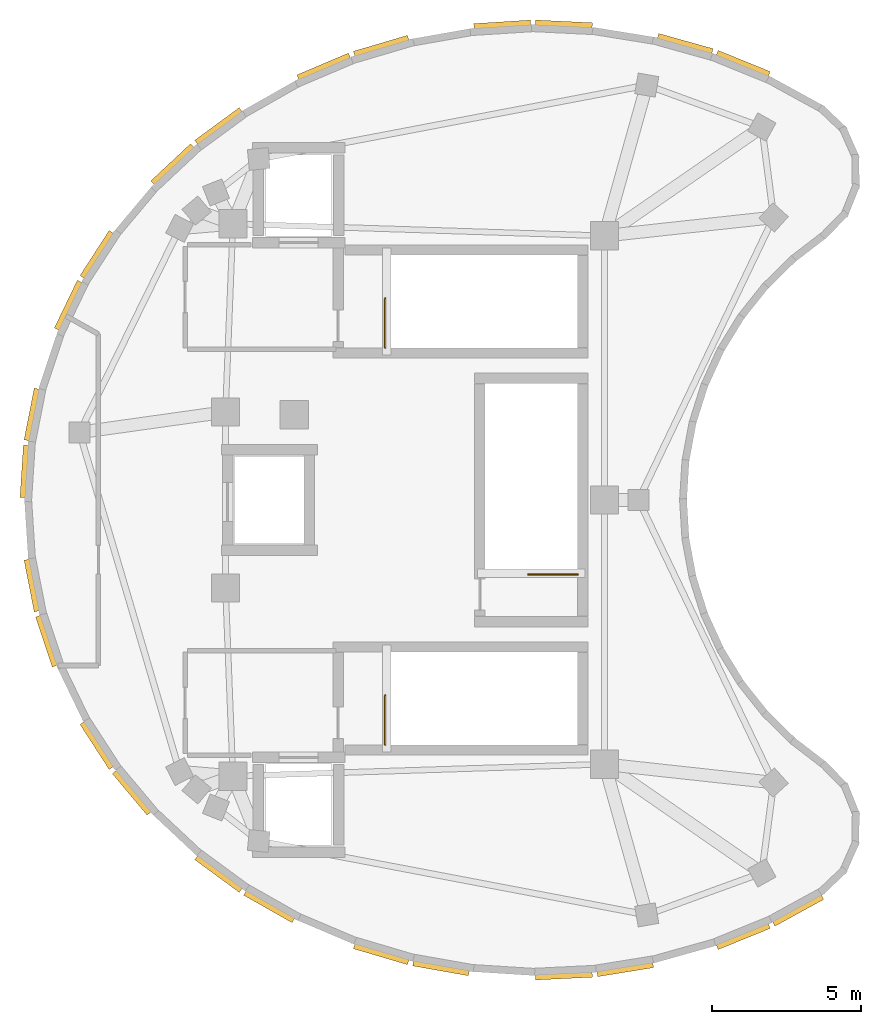
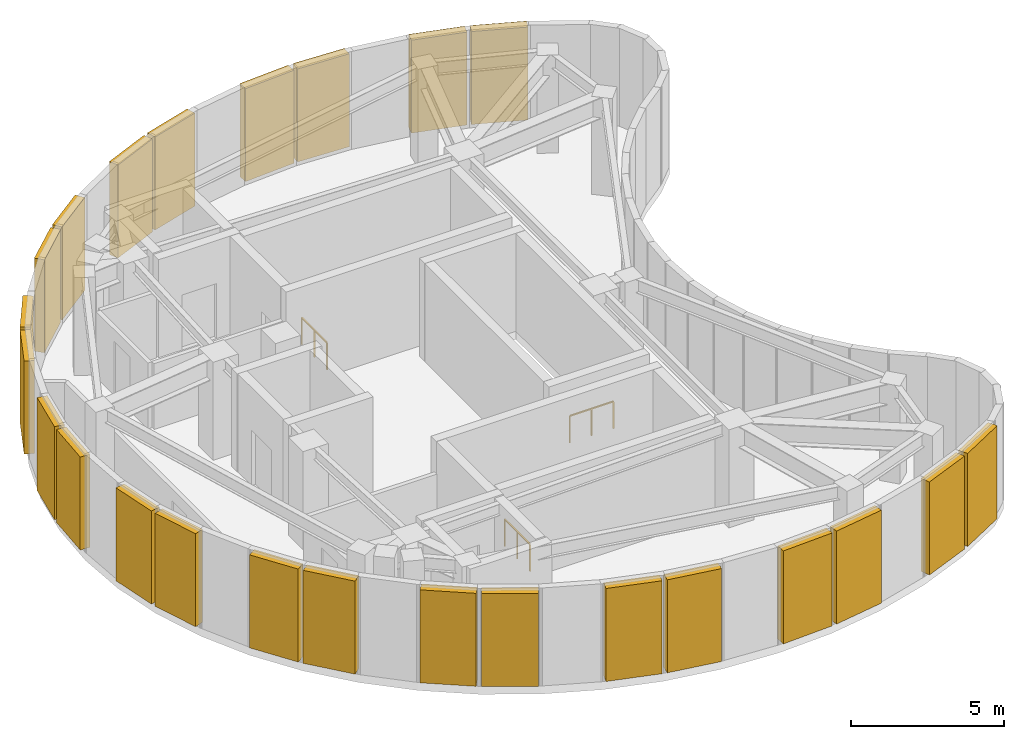
# One storey, part 4 of 4: 24 shading devices, 3 railings.
"""IFC4 building model written with IfcOpenShell, lengths in metres."""

from ifc_helpers import new_model, si_unit, direction, frame, origin, origin_2d, place, context, subcontext, project, spatial, rectangle, extrude, material, layer, layer_set, type_object, element, save


model = new_model("IFC4")

# Units and contexts
model_context = context("Model", 3, precision=1e-05, world=origin(), true_north=direction((0.0, 1.0)))
body_context = subcontext(model_context, "Body", "Model", "MODEL_VIEW")
ifc_project = project(units=[si_unit("LENGTHUNIT", "METRE"), si_unit("AREAUNIT", "SQUARE_METRE"), si_unit("VOLUMEUNIT", "CUBIC_METRE"), si_unit("PLANEANGLEUNIT", "RADIAN"), si_unit("MASSUNIT", "GRAM", prefix="KILO")], contexts=[model_context])

# Site, building, storey
site_placement = place(None, origin())
site = spatial("IfcSite", under=ifc_project, at=site_placement, CompositionType="ELEMENT")
building_placement = place(site_placement, origin())
building = spatial("IfcBuilding", under=site, at=building_placement, Name="Korentha Bioscience Tower", CompositionType="ELEMENT")
storey_placement = place(building_placement, frame((0.0, 0.0, 339.60009765625)))
storey = spatial("IfcBuildingStorey", under=building, at=storey_placement, Name="L78", CompositionType="ELEMENT", Elevation=339.60009765625)

# Shading devices
ifc_material_1 = material(Name="Powder-Coated Aluminium Louvre", Category="aluminium")
ifc_layer = layer(ifc_material_1, 0.1201171875, Name="Powder-Coated Aluminium Louvre")
ifc_layer_set = layer_set([ifc_layer], Name="Powder-Coated Aluminium Louvre (LV-350)")
shading_device_type = type_object("IfcShadingDeviceType", Name="Acoustic Weatherproof Aluminium Plant Louvre 350", PredefinedType="USERDEFINED", material=ifc_layer_set)
shading_device_1_placement = place(storey_placement, frame((42.1611328125, 41.54541015625, 0.10009765625), z_axis=(0.0, 0.0, 1.0), x_axis=(-0.926359180159, 0.376641300623, 0.0)))
element("IfcShadingDevice", 1, at=shading_device_1_placement, inside=storey, type_object=shading_device_type, Name="L78 Acoustic Plant Louvre 02", ObjectType="LOUVRE", PredefinedType="USERDEFINED", context=body_context, shape_type="SweptSolid", body=[
    extrude(rectangle(XDim=1.880126953125, YDim=0.35009765625, at=origin_2d()), origin(), (0.0, 0.0, 1.0), 3.719970703125),
])
shading_device_2_placement = place(storey_placement, frame((40.23046875, 42.205078125, 0.10009765625), z_axis=(0.0, 0.0, 1.0), x_axis=(-0.963048520455, 0.269327954824, 0.0)))
element("IfcShadingDevice", 2, at=shading_device_2_placement, inside=storey, type_object=shading_device_type, Name="L78 Acoustic Plant Louvre 03", ObjectType="LOUVRE", PredefinedType="USERDEFINED", context=body_context, shape_type="SweptSolid", body=[
    extrude(rectangle(XDim=1.891357421875, YDim=0.35009765625, at=origin_2d()), origin(), (0.0, 0.0, 1.0), 3.719970703125),
])
shading_device_3_placement = place(storey_placement, frame((36.18408203125, 42.859375, 0.10009765625), z_axis=(0.0, 0.0, 1.0), x_axis=(-0.998819818758, 0.048569225393, 0.0)))
element("IfcShadingDevice", 3, at=shading_device_3_placement, inside=storey, type_object=shading_device_type, Name="L78 Acoustic Plant Louvre 05", ObjectType="LOUVRE", PredefinedType="USERDEFINED", context=body_context, shape_type="SweptSolid", body=[
    extrude(rectangle(XDim=1.903076171875, YDim=0.35009765625, at=origin_2d()), origin(), (0.0, 0.0, 1.0), 3.719970703125),
])
shading_device_4_placement = place(storey_placement, frame((34.126708984375, 42.844482421875, 0.10009765625), z_axis=(0.0, 0.0, 1.0), x_axis=(-0.998018286833, -0.062924551232, 0.0)))
element("IfcShadingDevice", 4, at=shading_device_4_placement, inside=storey, type_object=shading_device_type, Name="L78 Acoustic Plant Louvre 06", ObjectType="LOUVRE", PredefinedType="USERDEFINED", context=body_context, shape_type="SweptSolid", body=[
    extrude(rectangle(XDim=1.90283203125, YDim=0.35009765625, at=origin_2d()), origin(), (0.0, 0.0, 1.0), 3.719970703125),
])
shading_device_5_placement = place(storey_placement, frame((30.091796875, 42.132080078125, 0.10009765625), z_axis=(0.0, 0.0, 1.0), x_axis=(-0.959016804336, -0.283349199754, 0.0)))
element("IfcShadingDevice", 5, at=shading_device_5_placement, inside=storey, type_object=shading_device_type, Name="L78 Acoustic Plant Louvre 08", ObjectType="LOUVRE", PredefinedType="USERDEFINED", context=body_context, shape_type="SweptSolid", body=[
    extrude(rectangle(XDim=1.89013671875, YDim=0.35009765625, at=origin_2d()), origin(), (0.0, 0.0, 1.0), 3.719970703125),
])
shading_device_6_placement = place(storey_placement, frame((28.17236328125, 41.444580078125, 0.10009765625), z_axis=(0.0, 0.0, 1.0), x_axis=(-0.920726030578, -0.390209657255, 0.0)))
element("IfcShadingDevice", 6, at=shading_device_6_placement, inside=storey, type_object=shading_device_type, Name="L78 Acoustic Plant Louvre 09", ObjectType="LOUVRE", PredefinedType="USERDEFINED", context=body_context, shape_type="SweptSolid", body=[
    extrude(rectangle(XDim=1.87841796875, YDim=0.35009765625, at=origin_2d()), origin(), (0.0, 0.0, 1.0), 3.719970703125),
])
shading_device_7_placement = place(storey_placement, frame((24.66845703125, 39.45703125, 0.10009765625), z_axis=(0.0, 0.0, 1.0), x_axis=(-0.806309956227, -0.591493241288, 0.0)))
element("IfcShadingDevice", 7, at=shading_device_7_placement, inside=storey, type_object=shading_device_type, Name="L78 Acoustic Plant Louvre 11", ObjectType="LOUVRE", PredefinedType="USERDEFINED", context=body_context, shape_type="SweptSolid", body=[
    extrude(rectangle(XDim=1.847412109375, YDim=0.35009765625, at=origin_2d()), origin(), (0.0, 0.0, 1.0), 3.719970703125),
])
shading_device_8_placement = place(storey_placement, frame((23.13427734375, 38.185546875, 0.10009765625), z_axis=(0.0, 0.0, 1.0), x_axis=(-0.730505135592, -0.682907202242, 0.0)))
element("IfcShadingDevice", 8, at=shading_device_8_placement, inside=storey, type_object=shading_device_type, Name="L78 Acoustic Plant Louvre 12", ObjectType="LOUVRE", PredefinedType="USERDEFINED", context=body_context, shape_type="SweptSolid", body=[
    extrude(rectangle(XDim=1.82958984375, YDim=0.35009765625, at=origin_2d()), origin(), (0.0, 0.0, 1.0), 3.719970703125),
])
shading_device_9_placement = place(storey_placement, frame((20.612060546875, 35.178955078125, 0.10009765625), z_axis=(0.0, 0.0, 1.0), x_axis=(-0.543673299057, -0.83929693428, 0.0)))
element("IfcShadingDevice", 9, at=shading_device_9_placement, inside=storey, type_object=shading_device_type, Name="L78 Acoustic Plant Louvre 14", ObjectType="LOUVRE", PredefinedType="USERDEFINED", context=body_context, shape_type="SweptSolid", body=[
    extrude(rectangle(XDim=1.794921875, YDim=0.35009765625, at=origin_2d()), origin(), (0.0, 0.0, 1.0), 3.719970703125),
])
shading_device_10_placement = place(storey_placement, frame((19.660400390625, 33.487060546875, 0.10009765625), z_axis=(0.0, 0.0, 1.0), x_axis=(-0.434508305035, -0.900667826036, 0.0)))
element("IfcShadingDevice", 10, at=shading_device_10_placement, inside=storey, type_object=shading_device_type, Name="L78 Acoustic Plant Louvre 15", ObjectType="LOUVRE", PredefinedType="USERDEFINED", context=body_context, shape_type="SweptSolid", body=[
    extrude(rectangle(XDim=1.77978515625, YDim=0.35009765625, at=origin_2d()), origin(), (0.0, 0.0, 1.0), 3.719970703125),
])
shading_device_11_placement = place(storey_placement, frame((18.444580078125, 29.848388671875, 0.10009765625), z_axis=(0.0, 0.0, 1.0), x_axis=(-0.192848333259, -0.981228577019, 0.0)))
element("IfcShadingDevice", 11, at=shading_device_11_placement, inside=storey, type_object=shading_device_type, Name="L78 Acoustic Plant Louvre 17", ObjectType="LOUVRE", PredefinedType="USERDEFINED", context=body_context, shape_type="SweptSolid", body=[
    extrude(rectangle(XDim=1.759033203125, YDim=0.35009765625, at=origin_2d()), origin(), (0.0, 0.0, 1.0), 3.719970703125),
])
shading_device_12_placement = place(storey_placement, frame((18.197998046875, 27.9541015625, 0.10009765625), z_axis=(0.0, 0.0, 1.0), x_axis=(-0.064761446595, -0.997900774143, 0.0)))
element("IfcShadingDevice", 12, at=shading_device_12_placement, inside=storey, type_object=shading_device_type, Name="L78 Acoustic Plant Louvre 18", ObjectType="LOUVRE", PredefinedType="USERDEFINED", context=body_context, shape_type="SweptSolid", body=[
    extrude(rectangle(XDim=1.754638671875, YDim=0.35009765625, at=origin_2d()), origin(), (0.0, 0.0, 1.0), 3.719970703125),
])
shading_device_13_placement = place(storey_placement, frame((18.444580078125, 24.151611328125, 0.10009765625), z_axis=(0.0, 0.0, 1.0), x_axis=(0.192848333259, -0.981228577019, 0.0)))
element("IfcShadingDevice", 13, at=shading_device_13_placement, inside=storey, type_object=shading_device_type, Name="L78 Acoustic Plant Louvre 20", ObjectType="LOUVRE", PredefinedType="USERDEFINED", context=body_context, shape_type="SweptSolid", body=[
    extrude(rectangle(XDim=1.759033203125, YDim=0.35009765625, at=origin_2d()), origin(), (0.0, 0.0, 1.0), 3.719970703125),
])
shading_device_14_placement = place(storey_placement, frame((18.9345703125, 22.29833984375, 0.10009765625), z_axis=(0.0, 0.0, 1.0), x_axis=(0.316896858972, -0.948460004836, 0.0)))
element("IfcShadingDevice", 14, at=shading_device_14_placement, inside=storey, type_object=shading_device_type, Name="L78 Acoustic Plant Louvre 21", ObjectType="LOUVRE", PredefinedType="USERDEFINED", context=body_context, shape_type="SweptSolid", body=[
    extrude(rectangle(XDim=1.767822265625, YDim=0.35009765625, at=origin_2d()), origin(), (0.0, 0.0, 1.0), 3.719970703125),
])
shading_device_15_placement = place(storey_placement, frame((20.612060546875, 18.821044921875, 0.10009765625), z_axis=(0.0, 0.0, 1.0), x_axis=(0.543673299057, -0.83929693428, 0.0)))
element("IfcShadingDevice", 15, at=shading_device_15_placement, inside=storey, type_object=shading_device_type, Name="L78 Acoustic Plant Louvre 23", ObjectType="LOUVRE", PredefinedType="USERDEFINED", context=body_context, shape_type="SweptSolid", body=[
    extrude(rectangle(XDim=1.794921875, YDim=0.35009765625, at=origin_2d()), origin(), (0.0, 0.0, 1.0), 3.719970703125),
])
shading_device_16_placement = place(storey_placement, frame((21.775634765625, 17.247314453125, 0.10009765625), z_axis=(0.0, 0.0, 1.0), x_axis=(0.642660280406, -0.766151267041, 0.0)))
element("IfcShadingDevice", 16, at=shading_device_16_placement, inside=storey, type_object=shading_device_type, Name="L78 Acoustic Plant Louvre 24", ObjectType="LOUVRE", PredefinedType="USERDEFINED", context=body_context, shape_type="SweptSolid", body=[
    extrude(rectangle(XDim=1.811767578125, YDim=0.35009765625, at=origin_2d()), origin(), (0.0, 0.0, 1.0), 3.719970703125),
])
shading_device_17_placement = place(storey_placement, frame((24.66845703125, 14.54296875, 0.10009765625), z_axis=(0.0, 0.0, 1.0), x_axis=(0.806309956227, -0.591493241288, 0.0)))
element("IfcShadingDevice", 17, at=shading_device_17_placement, inside=storey, type_object=shading_device_type, Name="L78 Acoustic Plant Louvre 26", ObjectType="LOUVRE", PredefinedType="USERDEFINED", context=body_context, shape_type="SweptSolid", body=[
    extrude(rectangle(XDim=1.847412109375, YDim=0.35009765625, at=origin_2d()), origin(), (0.0, 0.0, 1.0), 3.719970703125),
])
shading_device_18_placement = place(storey_placement, frame((26.35595703125, 13.451416015625, 0.10009765625), z_axis=(0.0, 0.0, 1.0), x_axis=(0.869801689284, -0.493401480865, 0.0)))
element("IfcShadingDevice", 18, at=shading_device_18_placement, inside=storey, type_object=shading_device_type, Name="L78 Acoustic Plant Louvre 27", ObjectType="LOUVRE", PredefinedType="USERDEFINED", context=body_context, shape_type="SweptSolid", body=[
    extrude(rectangle(XDim=1.864013671875, YDim=0.35009765625, at=origin_2d()), origin(), (0.0, 0.0, 1.0), 3.719970703125),
])
shading_device_19_placement = place(storey_placement, frame((30.091796875, 11.867919921875, 0.10009765625), z_axis=(0.0, 0.0, 1.0), x_axis=(0.959016804336, -0.283349199754, 0.0)))
element("IfcShadingDevice", 19, at=shading_device_19_placement, inside=storey, type_object=shading_device_type, Name="L78 Acoustic Plant Louvre 29", ObjectType="LOUVRE", PredefinedType="USERDEFINED", context=body_context, shape_type="SweptSolid", body=[
    extrude(rectangle(XDim=1.89013671875, YDim=0.35009765625, at=origin_2d()), origin(), (0.0, 0.0, 1.0), 3.719970703125),
])
shading_device_20_placement = place(storey_placement, frame((32.086181640625, 11.39892578125, 0.10009765625), z_axis=(0.0, 0.0, 1.0), x_axis=(0.984759094993, -0.173923905284, 0.0)))
element("IfcShadingDevice", 20, at=shading_device_20_placement, inside=storey, type_object=shading_device_type, Name="L78 Acoustic Plant Louvre 30", ObjectType="LOUVRE", PredefinedType="USERDEFINED", context=body_context, shape_type="SweptSolid", body=[
    extrude(rectangle(XDim=1.8984375, YDim=0.35009765625, at=origin_2d()), origin(), (0.0, 0.0, 1.0), 3.719970703125),
])
shading_device_21_placement = place(storey_placement, frame((36.18408203125, 11.140625, 0.10009765625), z_axis=(0.0, 0.0, 1.0), x_axis=(0.998819818758, 0.048569225393, 0.0)))
element("IfcShadingDevice", 21, at=shading_device_21_placement, inside=storey, type_object=shading_device_type, Name="L78 Acoustic Plant Louvre 32", ObjectType="LOUVRE", PredefinedType="USERDEFINED", context=body_context, shape_type="SweptSolid", body=[
    extrude(rectangle(XDim=1.903076171875, YDim=0.35009765625, at=origin_2d()), origin(), (0.0, 0.0, 1.0), 3.719970703125),
])
shading_device_22_placement = place(storey_placement, frame((38.228515625, 11.354736328125, 0.10009765625), z_axis=(0.0, 0.0, 1.0), x_axis=(0.98717651646, 0.1596324696, 0.0)))
element("IfcShadingDevice", 22, at=shading_device_22_placement, inside=storey, type_object=shading_device_type, Name="L78 Acoustic Plant Louvre 33", ObjectType="LOUVRE", PredefinedType="USERDEFINED", context=body_context, shape_type="SweptSolid", body=[
    extrude(rectangle(XDim=1.899169921875, YDim=0.35009765625, at=origin_2d()), origin(), (0.0, 0.0, 1.0), 3.719970703125),
])
shading_device_23_placement = place(storey_placement, frame((42.1611328125, 12.45458984375, 0.10009765625), z_axis=(0.0, 0.0, 1.0), x_axis=(0.926359180159, 0.376641300623, 0.0)))
element("IfcShadingDevice", 23, at=shading_device_23_placement, inside=storey, type_object=shading_device_type, Name="L78 Acoustic Plant Louvre 35", ObjectType="LOUVRE", PredefinedType="USERDEFINED", context=body_context, shape_type="SweptSolid", body=[
    extrude(rectangle(XDim=1.880126953125, YDim=0.35009765625, at=origin_2d()), origin(), (0.0, 0.0, 1.0), 3.719970703125),
])
shading_device_24_placement = place(storey_placement, frame((43.992431640625, 13.324462890625, 0.10009765625), z_axis=(0.0, 0.0, 1.0), x_axis=(0.877088841043, 0.480328184597, 0.0)))
element("IfcShadingDevice", 24, at=shading_device_24_placement, inside=storey, type_object=shading_device_type, Name="L78 Acoustic Plant Louvre 36", ObjectType="LOUVRE", PredefinedType="USERDEFINED", context=body_context, shape_type="SweptSolid", body=[
    extrude(rectangle(XDim=1.865966796875, YDim=0.35009765625, at=origin_2d()), origin(), (0.0, 0.0, 1.0), 3.719970703125),
])

# Railings
ifc_material_2 = material(Name="Painted Steel S275", Category="steel")
railing_type = type_object("IfcRailingType", Name="Painted Steel Stair Well Guardrail 1100", PredefinedType="GUARDRAIL", material=ifc_material_2)
for number, where, name in (
    (25, (30.199951171875, 32.10009765625, 0.0), "L78 ST-1 top well guard 1"),
    (26, (30.199951171875, 18.800048828125, 0.0), "L78 ST-2 top well guard 1"),
):
    element("IfcRailing", number, at=place(storey_placement, frame(where)), inside=storey, type_object=railing_type, Name=name, PredefinedType="GUARDRAIL", context=body_context, shape_type="SweptSolid", body=[
        extrude(rectangle(XDim=0.048095703125, YDim=0.048095703125, at=origin_2d()), frame((0.0, 0.0, 1.076171875), z_axis=(0.0, 1.0, 0.0), x_axis=(-1.0, 0.0, 0.0)), (0.0, 0.0, 1.0), 1.64990234375),
        extrude(rectangle(XDim=0.0419921875, YDim=0.0419921875, at=origin_2d()), origin(), (0.0, 0.0, 1.0), 1.052001953125),
        extrude(rectangle(XDim=0.0419921875, YDim=0.0419921875, at=origin_2d()), frame((0.0, 0.824951171875, 0.0)), (0.0, 0.0, 1.0), 1.052001953125),
        extrude(rectangle(XDim=0.0419921875, YDim=0.0419921875, at=origin_2d()), frame((0.0, 1.64990234375, 0.0)), (0.0, 0.0, 1.0), 1.052001953125),
    ])
railing_placement = place(storey_placement, frame((36.64990234375, 24.5, 0.0)))
element("IfcRailing", 27, at=railing_placement, inside=storey, type_object=railing_type, Name="L78 ST-3 top well guard 1", PredefinedType="GUARDRAIL", context=body_context, shape_type="SweptSolid", body=[
    extrude(rectangle(XDim=0.048095703125, YDim=0.048095703125, at=origin_2d()), frame((0.0, 0.0, 1.076171875), z_axis=(-1.0, 0.0, 0.0), x_axis=(0.0, -1.0, 0.0)), (0.0, 0.0, 1.0), 1.64990234375),
    extrude(rectangle(XDim=0.0419921875, YDim=0.0419921875, at=origin_2d()), origin(), (0.0, 0.0, 1.0), 1.052001953125),
    extrude(rectangle(XDim=0.0419921875, YDim=0.0419921875, at=origin_2d()), frame((-0.824951171875, 0.0, 0.0)), (0.0, 0.0, 1.0), 1.052001953125),
    extrude(rectangle(XDim=0.0419921875, YDim=0.0419921875, at=origin_2d()), frame((-1.64990234375, 0.0, 0.0)), (0.0, 0.0, 1.0), 1.052001953125),
])

save(model, "model.ifc")
